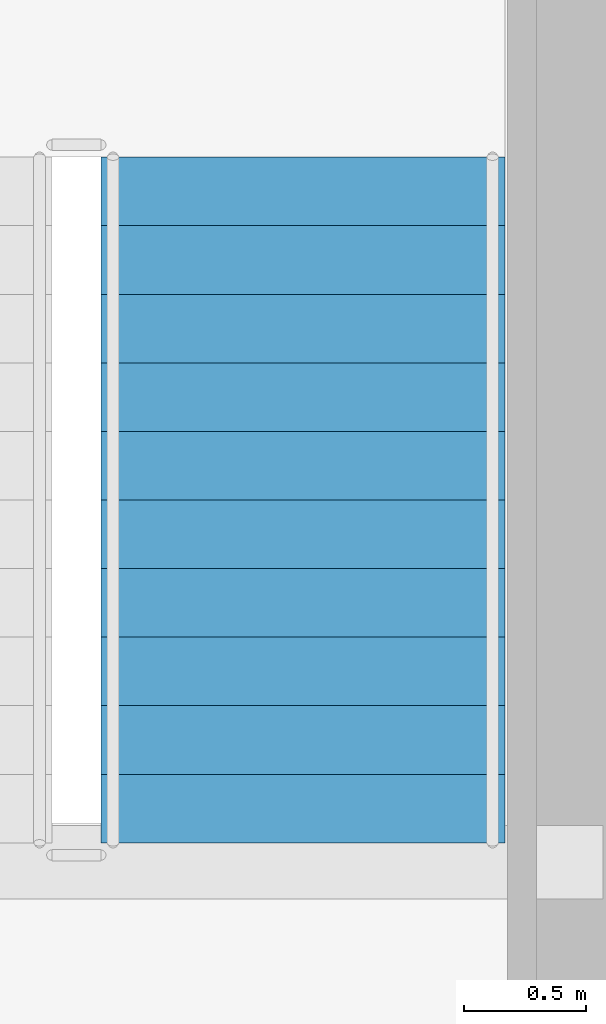
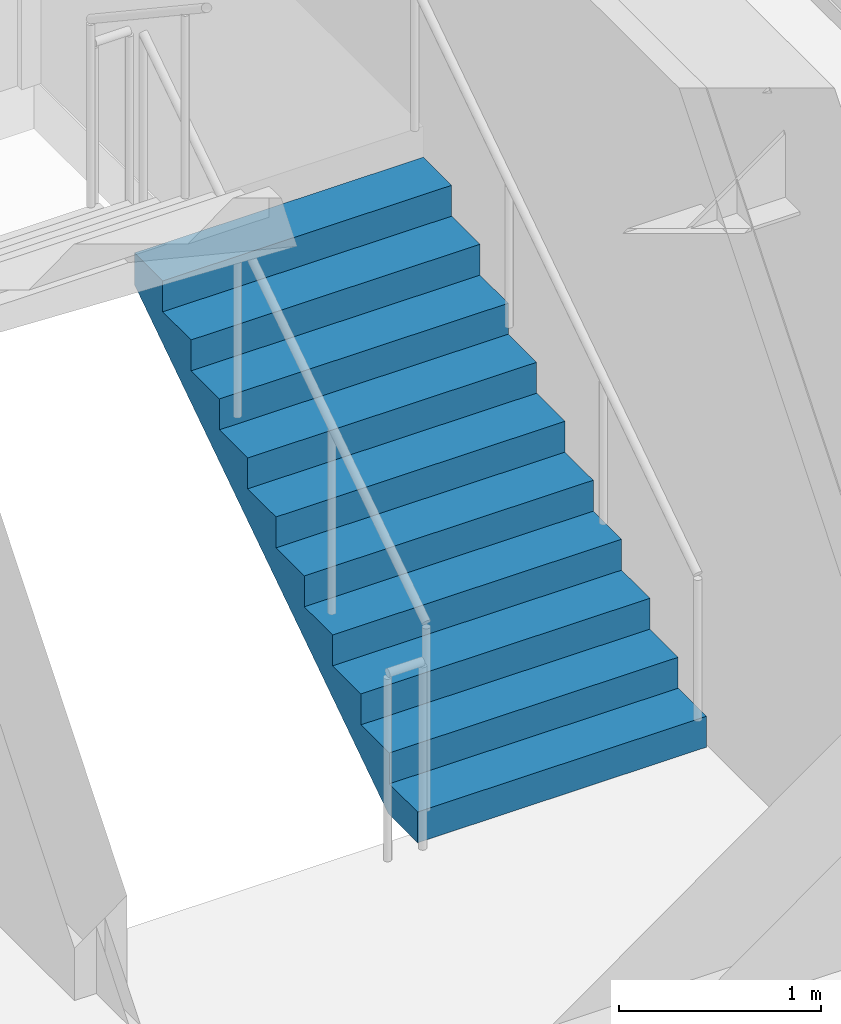
# One storey, part 31 of 33: 1 stair flight, 1 element without a shape of its own.
"""IFC4 building model written with IfcOpenShell, lengths in metres."""

from ifc_helpers import new_model, si_unit, direction, frame, origin, place, context, subcontext, project, spatial, polyline, outline, extrude, source, transform, mapped, material, type_object, type_shapes, element, aggregate, save


model = new_model("IFC4")

# Units and contexts
model_context = context("Model", 3, precision=1e-05, world=origin(), true_north=direction((0.0, 1.0)))
body_context = subcontext(model_context, "Body", "Model", "MODEL_VIEW")
ifc_project = project(units=[si_unit("LENGTHUNIT", "METRE"), si_unit("AREAUNIT", "SQUARE_METRE"), si_unit("VOLUMEUNIT", "CUBIC_METRE"), si_unit("PLANEANGLEUNIT", "RADIAN"), si_unit("MASSUNIT", "GRAM", prefix="KILO")], contexts=[model_context])

# Site, building, storey
site_placement = place(None, origin())
site = spatial("IfcSite", under=ifc_project, at=site_placement, CompositionType="ELEMENT")
building_placement = place(site_placement, origin())
building = spatial("IfcBuilding", under=site, at=building_placement, Name="Haelvirn Gate Laboratories", CompositionType="ELEMENT")
storey_placement = place(building_placement, frame((0.0, 0.0, 250.60009765625)))
storey = spatial("IfcBuildingStorey", under=building, at=storey_placement, Name="L60", CompositionType="ELEMENT", Elevation=250.60009765625)

# Stair, stair flight
ifc_material = material(Name="Concrete C40/50", Category="concrete")
stair_type = type_object("IfcStairType", Name="ST-DOG-1650-R22", PredefinedType="HALF_TURN_STAIR", material=ifc_material)
stair_placement = place(storey_placement, origin())
stair = element("IfcStair", 1, at=stair_placement, inside=storey, type_object=stair_type, Name="L60 Escape Stair ST2", PredefinedType="HALF_TURN_STAIR")
stair_flight_type = type_object("IfcStairFlightType", Name="STF-1650-R11", PredefinedType="STRAIGHT", material=ifc_material)
shared_shape = source(origin(), body_context, "Body", "SweptSolid", [
    extrude(outline(polyline([(0.0, 0.0), (0.0, 0.186279296875), (0.280029296875, 0.186279296875), (0.280029296875, 0.372802734375), (0.56005859375, 0.372802734375), (0.56005859375, 0.55908203125), (0.840087890625, 0.55908203125), (0.840087890625, 0.745361328125), (1.1201171875, 0.745361328125), (1.1201171875, 0.931884765625), (1.39990234375, 0.931884765625), (1.39990234375, 1.1181640625), (1.679931640625, 1.1181640625), (1.679931640625, 1.304443359375), (1.9599609375, 1.304443359375), (1.9599609375, 1.490966796875), (2.239990234375, 1.490966796875), (2.239990234375, 1.67724609375), (2.52001953125, 1.67724609375), (2.52001953125, 1.863525390625), (2.800048828125, 1.863525390625), (2.800048828125, 2.050048828125), (2.800048828125, 1.671630859375), (0.28857421875, 0.0), (0.0, 0.0)])), frame((0.0, 0.824951171875, 0.0), z_axis=(0.0, -1.0, 0.0), x_axis=(1.0, 0.0, 0.0)), (0.0, 0.0, 1.0), 1.64990234375),
])
type_shapes(stair_flight_type, [shared_shape])
stair_flight_placement = place(storey_placement, frame((66.175048828125, 26.699951171875, 0.0), z_axis=(0.0, 0.0, 1.0), x_axis=(0.0, 1.0, 0.0)))
stair_flight = element("IfcStairFlight", 2, at=stair_flight_placement, type_object=stair_flight_type, Name="ST2 flight 1", NumberOfRisers=11, NumberOfTreads=10, PredefinedType="STRAIGHT", RiserHeight=0.186363636, TreadLength=0.28, context=body_context, shape_type="MappedRepresentation", body=[
    mapped(shared_shape, transform((0.0, 0.0, 0.0), scale=1.0)),
])
aggregate(stair, [stair_flight])

save(model, "model.ifc")
